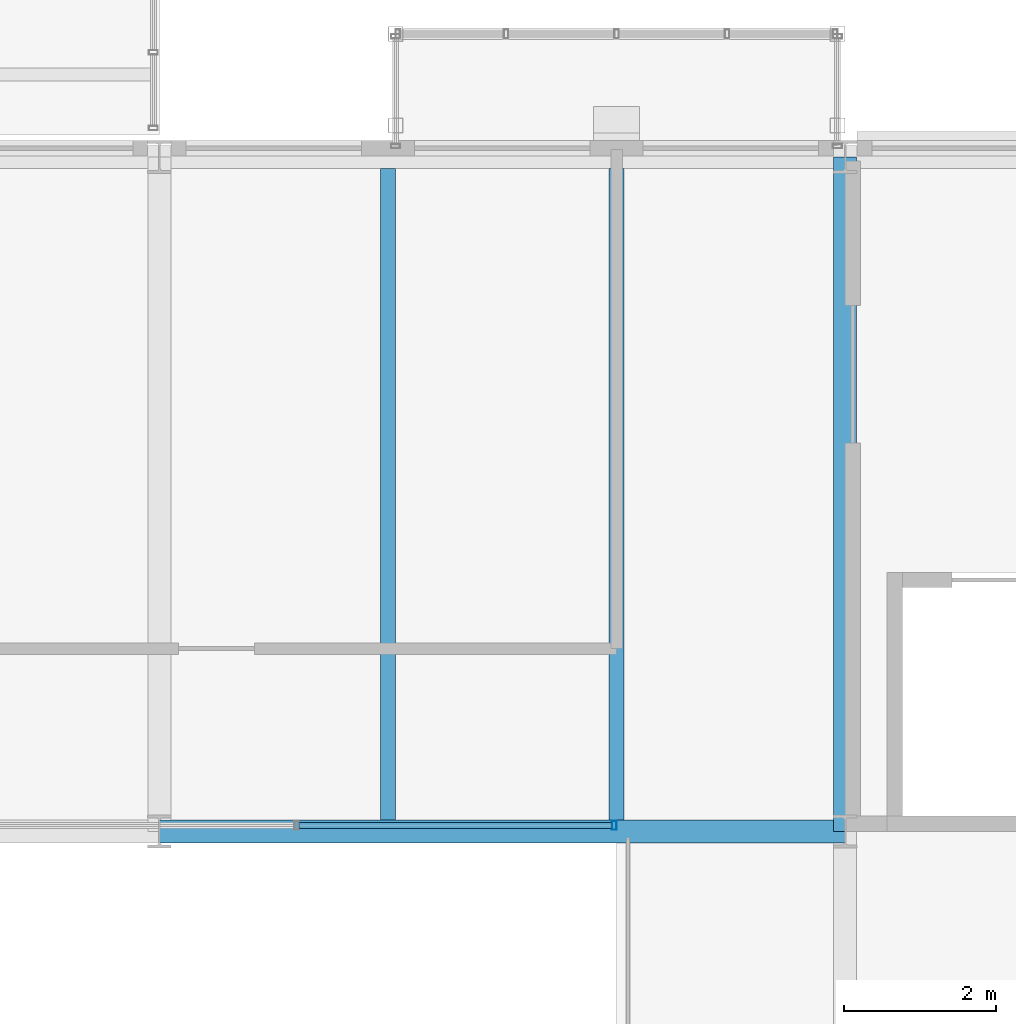
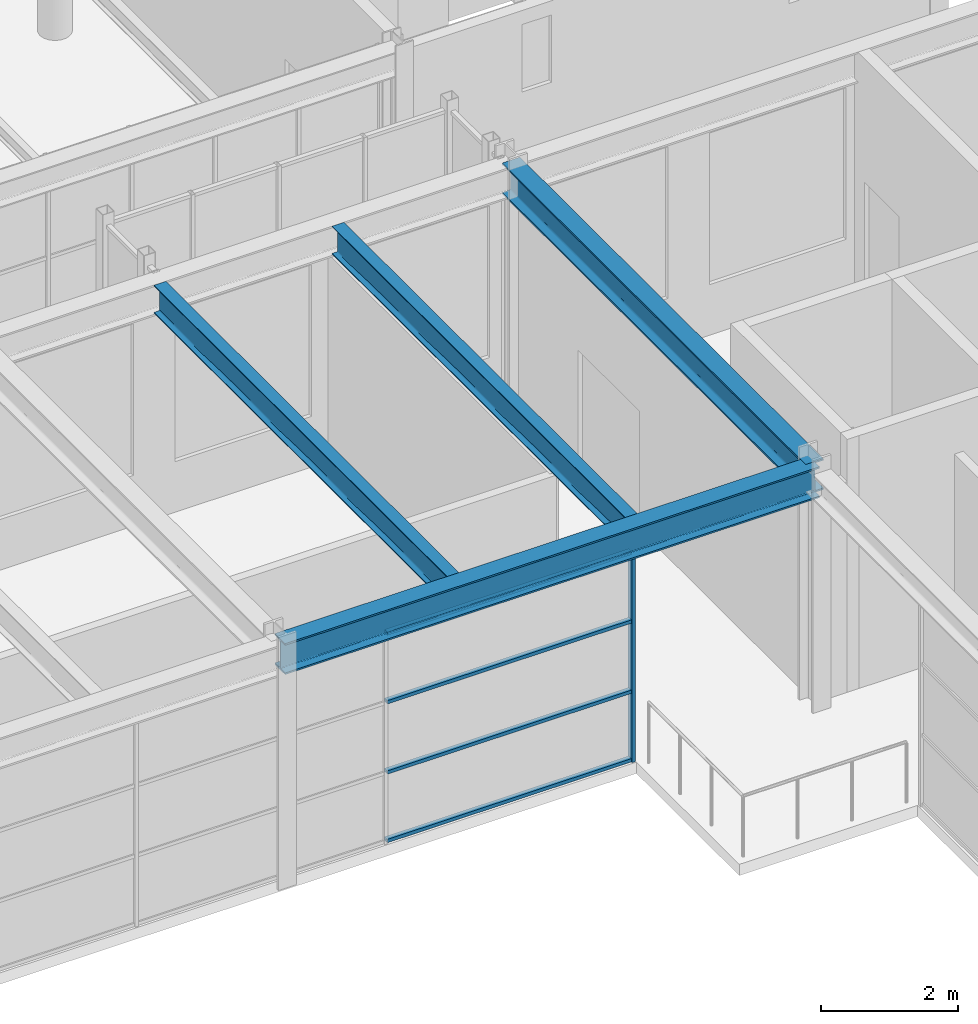
# One storey, part 48 of 149: 5 members, 4 beams, 1 element without a shape of its own.
"""IFC4 building model written with IfcOpenShell, lengths in metres."""

from ifc_helpers import new_model, si_unit, direction, frame, origin, origin_2d, place, context, subcontext, project, spatial, hollow_rectangle, i_section, extrude, material, material_profile, profile_set, type_object, element, aggregate, save


model = new_model("IFC4")

# Units and contexts
model_context = context("Model", 3, precision=1e-05, world=origin(), true_north=direction((0.0, 1.0)))
body_context = subcontext(model_context, "Body", "Model", "MODEL_VIEW")
ifc_project = project(units=[si_unit("LENGTHUNIT", "METRE"), si_unit("AREAUNIT", "SQUARE_METRE"), si_unit("VOLUMEUNIT", "CUBIC_METRE"), si_unit("PLANEANGLEUNIT", "RADIAN"), si_unit("MASSUNIT", "GRAM", prefix="KILO")], contexts=[model_context])

# Site, building, storey
site_placement = place(None, origin())
site = spatial("IfcSite", under=ifc_project, at=site_placement, CompositionType="ELEMENT")
building_placement = place(site_placement, origin())
building = spatial("IfcBuilding", under=site, at=building_placement, Name="Kallimachos Central Library", CompositionType="ELEMENT")
storey_placement = place(building_placement, frame((0.0, 0.0, 9.89990234375)))
storey = spatial("IfcBuildingStorey", under=building, at=storey_placement, Name="L02", CompositionType="ELEMENT", Elevation=9.89990234375)

# Curtain wall, members
ifc_material_1 = material(Name="Aluminium and laminated glass", Category="aluminium")
curtain_wall_type = type_object("IfcCurtainWallType", Name="Atrium glazed screen", PredefinedType="NOTDEFINED", material=ifc_material_1)
curtain_wall_placement = place(storey_placement, origin())
curtain_wall = element("IfcCurtainWall", 1, at=curtain_wall_placement, inside=storey, type_object=curtain_wall_type, Name="L02 atrium screen N", PredefinedType="NOTDEFINED")
ifc_material_2 = material(Name="Anodised aluminium", Category="aluminium")
ifc_material_profile_1 = material_profile(ifc_material_2, hollow_rectangle(XDim=0.06005859375, YDim=0.1201171875, WallThickness=0.00390625, at=origin_2d()), Name="ALU MULLION 60x120")
ifc_profile_set_1 = profile_set([ifc_material_profile_1], Name="Anodised aluminium")
member_type_1 = type_object("IfcMemberType", Name="Atrium screen mullion", PredefinedType="MULLION", material=ifc_profile_set_1)
member_1_placement = place(storey_placement, frame((98.469970703125, 75.080078125, 0.0), z_axis=(0.0, 0.0, 1.0), x_axis=(1.0, 0.0, 0.0)))
member_1 = element("IfcMember", 2, at=member_1_placement, type_object=member_type_1, Name="CW mullion 6", PredefinedType="MULLION", context=body_context, shape_type="SweptSolid", body=[
    extrude(hollow_rectangle(XDim=0.06005859375, YDim=0.1201171875, WallThickness=0.00390625, at=origin_2d()), origin(), (0.0, 0.0, 1.0), 3.75),
])
ifc_material_3 = material(Name="Anodised aluminium", Category="aluminium")
ifc_material_profile_2 = material_profile(ifc_material_3, hollow_rectangle(XDim=0.06005859375, YDim=0.080078125, WallThickness=0.00390625, at=origin_2d()), Name="ALU TRANSOM 60x80")
ifc_profile_set_2 = profile_set([ifc_material_profile_2], Name="Anodised aluminium")
member_type_2 = type_object("IfcMemberType", Name="Atrium screen transom", PredefinedType="USERDEFINED", material=ifc_profile_set_2)
member_2_placement = place(storey_placement, frame((94.330078125, 75.080078125, 0.030029296875), z_axis=(1.0, 0.0, 0.0), x_axis=(0.0, 0.0, 1.0)))
member_2 = element("IfcMember", 3, at=member_2_placement, type_object=member_type_2, Name="CW transom 5.1", ObjectType="TRANSOM", PredefinedType="USERDEFINED", context=body_context, shape_type="SweptSolid", body=[
    extrude(hollow_rectangle(XDim=0.06005859375, YDim=0.080078125, WallThickness=0.00390625, at=origin_2d()), origin(), (0.0, 0.0, 1.0), 4.10986328125),
])
member_3_placement = place(storey_placement, frame((94.330078125, 75.080078125, 1.25), z_axis=(1.0, 0.0, 0.0), x_axis=(0.0, 0.0, 1.0)))
member_3 = element("IfcMember", 4, at=member_3_placement, type_object=member_type_2, Name="CW transom 5.2", ObjectType="TRANSOM", PredefinedType="USERDEFINED", context=body_context, shape_type="SweptSolid", body=[
    extrude(hollow_rectangle(XDim=0.06005859375, YDim=0.080078125, WallThickness=0.00390625, at=origin_2d()), origin(), (0.0, 0.0, 1.0), 4.10986328125),
])
member_4_placement = place(storey_placement, frame((94.330078125, 75.080078125, 2.5), z_axis=(1.0, 0.0, 0.0), x_axis=(0.0, 0.0, 1.0)))
member_4 = element("IfcMember", 5, at=member_4_placement, type_object=member_type_2, Name="CW transom 5.3", ObjectType="TRANSOM", PredefinedType="USERDEFINED", context=body_context, shape_type="SweptSolid", body=[
    extrude(hollow_rectangle(XDim=0.06005859375, YDim=0.080078125, WallThickness=0.00390625, at=origin_2d()), origin(), (0.0, 0.0, 1.0), 4.10986328125),
])
member_5_placement = place(storey_placement, frame((94.330078125, 75.080078125, 3.72021484375), z_axis=(1.0, 0.0, 0.0), x_axis=(0.0, 0.0, 1.0)))
member_5 = element("IfcMember", 6, at=member_5_placement, type_object=member_type_2, Name="CW transom 5.4", ObjectType="TRANSOM", PredefinedType="USERDEFINED", context=body_context, shape_type="SweptSolid", body=[
    extrude(hollow_rectangle(XDim=0.06005859375, YDim=0.080078125, WallThickness=0.00390625, at=origin_2d()), origin(), (0.0, 0.0, 1.0), 4.10986328125),
])
aggregate(curtain_wall, [member_1, member_2, member_3, member_4, member_5])

# Beams
ifc_material_4 = material(Name="Steel S355J2", Category="steel")
ifc_material_profile_3 = material_profile(ifc_material_4, i_section(OverallWidth=0.300048828125, OverallDepth=0.550048828125, WebThickness=0.014892578125, FlangeThickness=0.029052734375, FilletRadius=0.027099609375, at=origin_2d()), Name="HEB 550")
ifc_profile_set_3 = profile_set([ifc_material_profile_3], Name="Steel S355J2")
beam_type_1 = type_object("IfcBeamType", Name="HEB 550 beam", PredefinedType="BEAM", material=ifc_profile_set_3)
beam_1_placement = place(storey_placement, frame((92.5, 75.0, 4.025146484375), z_axis=(1.0, 0.0, 0.0), x_axis=(0.0, 1.0, 0.0)))
element("IfcBeam", 7, at=beam_1_placement, inside=storey, type_object=beam_type_1, Name="V4-BEM-L02-003", PredefinedType="BEAM", context=body_context, shape_type="SweptSolid", body=[
    extrude(i_section(OverallWidth=0.300048828125, OverallDepth=0.550048828125, WebThickness=0.014892578125, FlangeThickness=0.029052734375, FilletRadius=0.027099609375, at=origin_2d()), origin(), (0.0, 0.0, 1.0), 9.0),
])
beam_2_placement = place(storey_placement, frame((101.5, 75.0, 4.025146484375), z_axis=(0.0, 1.0, 0.0), x_axis=(-1.0, 0.0, 0.0)))
element("IfcBeam", 8, at=beam_2_placement, inside=storey, type_object=beam_type_1, Name="V4-BEM-L02-013", PredefinedType="BEAM", context=body_context, shape_type="SweptSolid", body=[
    extrude(i_section(OverallWidth=0.300048828125, OverallDepth=0.550048828125, WebThickness=0.014892578125, FlangeThickness=0.029052734375, FilletRadius=0.027099609375, at=origin_2d()), origin(), (0.0, 0.0, 1.0), 8.85009765625),
])
ifc_material_5 = material(Name="Steel S355J2", Category="steel")
ifc_material_profile_4 = material_profile(ifc_material_5, i_section(OverallWidth=0.199951171875, OverallDepth=0.5, WebThickness=0.01025390625, FlangeThickness=0.01611328125, FilletRadius=0.02099609375, at=origin_2d()), Name="IPE 500")
ifc_profile_set_4 = profile_set([ifc_material_profile_4], Name="Steel S355J2")
beam_type_2 = type_object("IfcBeamType", Name="IPE 500 beam", PredefinedType="BEAM", material=ifc_profile_set_4)
for number, where, z_axis, x_axis, name in (
    (9, (95.5, 75.14990234375, 4.050048828125), (0.0, 1.0, 0.0), (-1.0, 0.0, 0.0), "V4-BEM-L02-019"),
    (10, (98.5, 75.14990234375, 4.050048828125), (0.0, 1.0, 0.0), (-1.0, 0.0, 0.0), "V4-BEM-L02-020"),
):
    element("IfcBeam", number, at=place(storey_placement, frame(where, z_axis=z_axis, x_axis=x_axis)), inside=storey, type_object=beam_type_2, Name=name, PredefinedType="BEAM", context=body_context, shape_type="SweptSolid", body=[
        extrude(i_section(OverallWidth=0.199951171875, OverallDepth=0.5, WebThickness=0.01025390625, FlangeThickness=0.01611328125, FilletRadius=0.02099609375, at=origin_2d()), origin(), (0.0, 0.0, 1.0), 8.550048828125),
    ])

save(model, "model.ifc")
